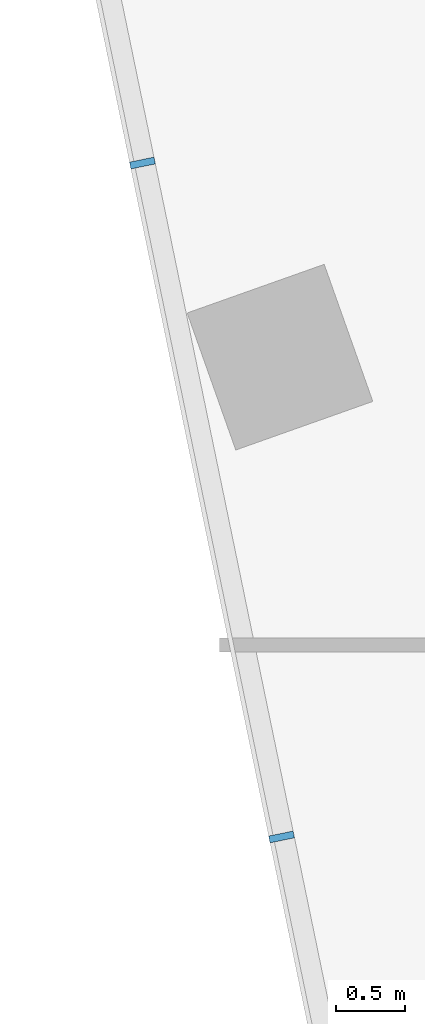
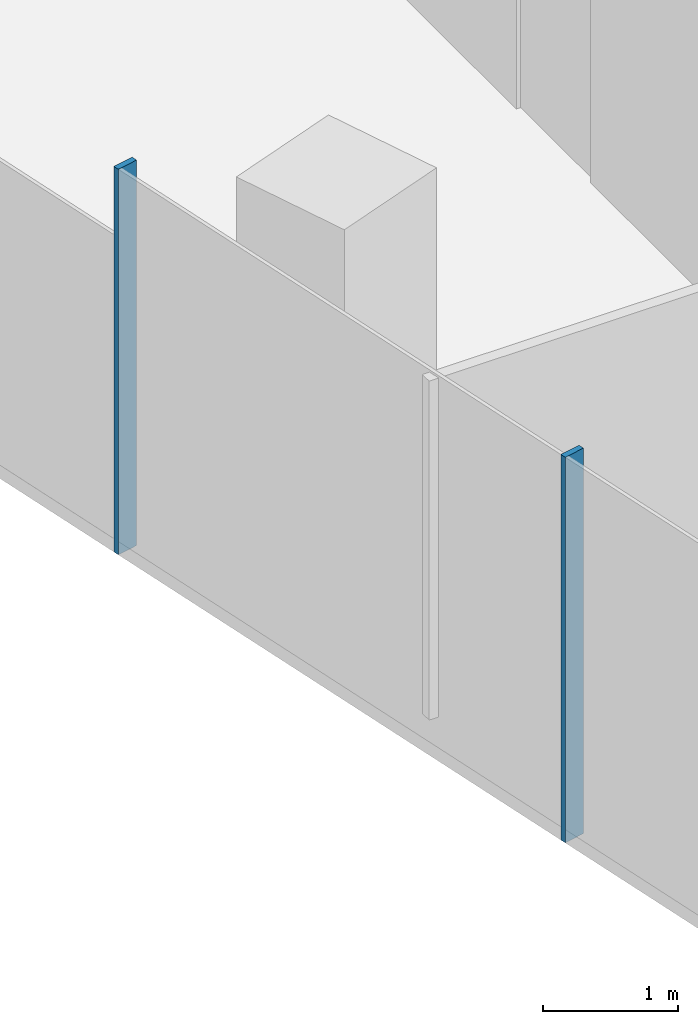
# One storey, part 3 of 24: 2 members, 1 element without a shape of its own.
"""IFC4 building model written with IfcOpenShell, lengths in metres."""

from ifc_helpers import new_model, si_unit, direction, frame, origin, origin_2d, place, context, subcontext, project, spatial, rectangle, extrude, material, material_profile, profile_set, type_object, element, aggregate, save


model = new_model("IFC4")

# Units and contexts
model_context = context("Model", 3, precision=1e-05, world=origin(), true_north=direction((0.0, 1.0)))
body_context = subcontext(model_context, "Body", "Model", "MODEL_VIEW")
ifc_project = project(units=[si_unit("LENGTHUNIT", "METRE"), si_unit("AREAUNIT", "SQUARE_METRE"), si_unit("VOLUMEUNIT", "CUBIC_METRE"), si_unit("PLANEANGLEUNIT", "RADIAN"), si_unit("MASSUNIT", "GRAM", prefix="KILO")], contexts=[model_context])

# Site, building, storey
site_placement = place(None, origin())
site = spatial("IfcSite", under=ifc_project, at=site_placement, CompositionType="ELEMENT")
building_placement = place(site_placement, origin())
building = spatial("IfcBuilding", under=site, at=building_placement, Name="Orlundy Tower", CompositionType="ELEMENT")
storey_placement = place(building_placement, frame((0.0, 0.0, 246.0)))
storey = spatial("IfcBuildingStorey", under=building, at=storey_placement, Name="L65", CompositionType="ELEMENT", Elevation=246.0)

# Curtain wall, members
ifc_material_1 = material(Name="Aluminium bronze anodised", Category="aluminium")
curtain_wall_type = type_object("IfcCurtainWallType", Name="CW1 wall", PredefinedType="NOTDEFINED", material=ifc_material_1)
curtain_wall_placement = place(storey_placement, origin())
curtain_wall = element("IfcCurtainWall", 1, at=curtain_wall_placement, inside=storey, type_object=curtain_wall_type, Name="CW1 run 014", PredefinedType="NOTDEFINED")
ifc_material_2 = material(Name="Aluminium bronze anodised", Category="aluminium")
ifc_material_profile = material_profile(ifc_material_2, rectangle(XDim=0.179931640625, YDim=0.050048828125, at=origin_2d()), Name="CW1 mullion 50x180")
ifc_profile_set = profile_set([ifc_material_profile], Name="Aluminium bronze anodised")
member_type = type_object("IfcMemberType", Name="CW1 mullion 50x180", PredefinedType="MULLION", material=ifc_profile_set)
member_1_placement = place(storey_placement, frame((-27.96044921875, -13.386474609375, -0.39990234375), z_axis=(0.0, 0.0, 1.0), x_axis=(-0.979337428215, -0.202233038095, 0.0)))
member_1 = element("IfcMember", 2, at=member_1_placement, type_object=member_type, Name="CW1 mullion 23", PredefinedType="MULLION", context=body_context, shape_type="SweptSolid", body=[
    extrude(rectangle(XDim=0.179931640625, YDim=0.050048828125, at=origin_2d()), origin(), (0.0, 0.0, 1.0), 3.47998046875),
])
member_2_placement = place(storey_placement, frame((-28.965576171875, -8.5185546875, -0.39990234375), z_axis=(0.0, 0.0, 1.0), x_axis=(-0.979337428215, -0.202233038095, 0.0)))
member_2 = element("IfcMember", 3, at=member_2_placement, type_object=member_type, Name="CW1 mullion 24", PredefinedType="MULLION", context=body_context, shape_type="SweptSolid", body=[
    extrude(rectangle(XDim=0.179931640625, YDim=0.050048828125, at=origin_2d()), origin(), (0.0, 0.0, 1.0), 3.47998046875),
])
aggregate(curtain_wall, [member_1, member_2])

save(model, "model.ifc")
